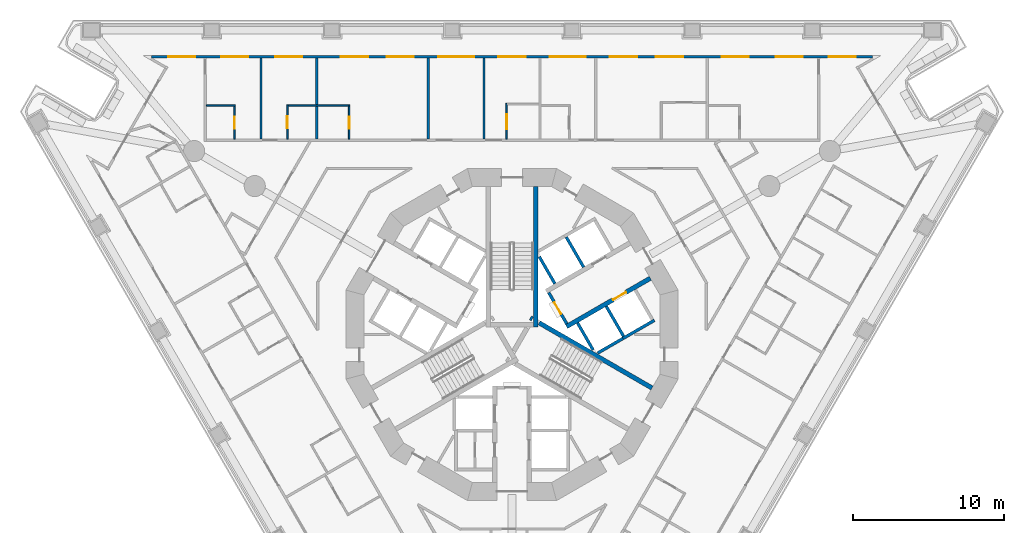
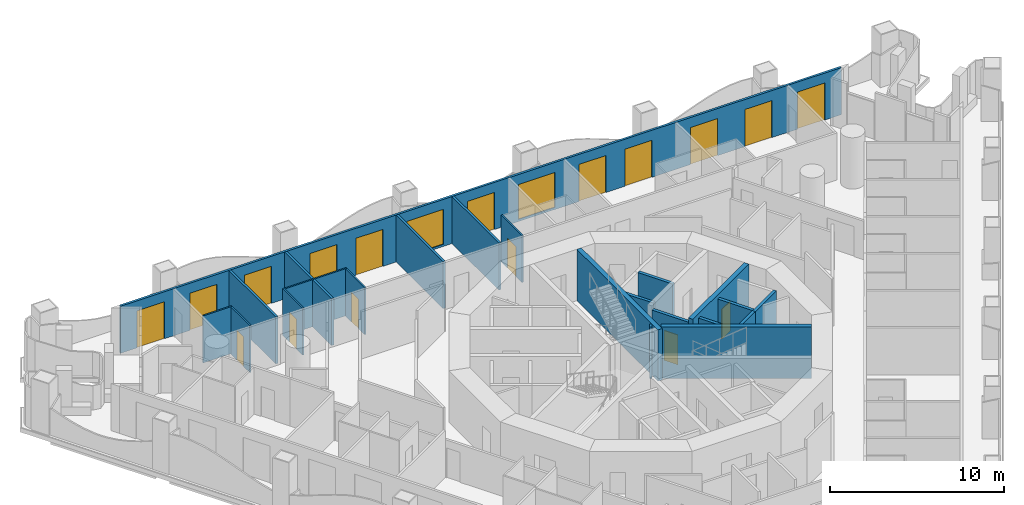
# One storey, part 8 of 20: 22 walls, 17 doors, 2 windows, 19 openings.
"""IFC4 building model written with IfcOpenShell, lengths in metres."""

from ifc_helpers import new_model, si_unit, direction, frame, frame_2d, origin, place, context, subcontext, project, spatial, polyline, rectangle, outline, extrude, material, layer, layer_set, type_object, element, fill, save


model = new_model("IFC4")

# Units and contexts
model_context = context("Model", 3, precision=1e-05, world=origin(), true_north=direction((0.0, 1.0)))
body_context = subcontext(model_context, "Body", "Model", "MODEL_VIEW")
ifc_project = project(units=[si_unit("LENGTHUNIT", "METRE"), si_unit("AREAUNIT", "SQUARE_METRE"), si_unit("VOLUMEUNIT", "CUBIC_METRE"), si_unit("PLANEANGLEUNIT", "RADIAN"), si_unit("MASSUNIT", "GRAM", prefix="KILO")], contexts=[model_context])

# Site, building, storey
site_placement = place(None, origin())
site = spatial("IfcSite", under=ifc_project, at=site_placement, CompositionType="ELEMENT")
building_placement = place(site_placement, origin())
building = spatial("IfcBuilding", under=site, at=building_placement, Name="Trine Commons Tower", CompositionType="ELEMENT")
storey_placement = place(building_placement, frame((0.0, 0.0, 35.10009765625)))
storey = spatial("IfcBuildingStorey", under=building, at=storey_placement, Name="L07", CompositionType="ELEMENT", Elevation=35.10009765625)

# Wall, openings, windows, doors
ifc_material_1 = material(Name="Aluminium-framed insulated wall panel", Category="aluminium")
ifc_layer_1 = layer(ifc_material_1, 0.14990234375)
ifc_layer_set_1 = layer_set([ifc_layer_1], Name="Aluminium-framed insulated wall panel")
wall_type_1 = type_object("IfcWallType", Name="Glazed frame wall 150, EI 60", PredefinedType="SOLIDWALL", material=ifc_layer_set_1)
wall_1_placement = place(storey_placement, frame((55.956787109375, 80.919677734375, 0.0), z_axis=(0.0, 0.0, 1.0), x_axis=(1.0, 0.0, 0.0)))
wall_1 = element("IfcWall", 1, at=wall_1_placement, inside=storey, type_object=wall_type_1, Name="Glazed frame wall F1", PredefinedType="SOLIDWALL", context=body_context, shape_type="SweptSolid", body=[
    extrude(outline(polyline([(0.1494140625, 0.074951171875), (0.1494140625, -0.074951171875), (47.93701171875, -0.074951171875), (47.93701171875, 0.074951171875), (0.1494140625, 0.074951171875)])), origin(), (0.0, 0.0, 1.0), 3.2998046875),
])
opening_1_placement = place(wall_1_placement, frame((1.24951171875, 0.0, 0.0)))
opening_1 = element("IfcOpeningElement", 2, at=opening_1_placement, cuts=wall_1, Name="Opening BD-1F1-01", PredefinedType="OPENING", context=body_context, shape_type="SweptSolid", body=[
    extrude(rectangle(XDim=1.800048828125, YDim=2.60009765625, at=frame_2d((0.89990234375, 1.300048828125))), frame((0.0, 0.0849609375, 0.0), z_axis=(0.0, -1.0, 0.0), x_axis=(1.0, 0.0, 0.0)), (0.0, 0.0, 1.0), 0.169921875),
])
opening_2_placement = place(wall_1_placement, frame((4.748291015625, 0.0, 0.0)))
opening_2 = element("IfcOpeningElement", 3, at=opening_2_placement, cuts=wall_1, Name="Opening BD-1F1-02", PredefinedType="OPENING", context=body_context, shape_type="SweptSolid", body=[
    extrude(rectangle(XDim=1.800048828125, YDim=2.60009765625, at=frame_2d((0.89990234375, 1.300048828125))), frame((0.0, 0.0849609375, 0.0), z_axis=(0.0, -1.0, 0.0), x_axis=(1.0, 0.0, 0.0)), (0.0, 0.0, 1.0), 0.169921875),
])
opening_3_placement = place(wall_1_placement, frame((8.347412109375, 0.0, 0.0)))
opening_3 = element("IfcOpeningElement", 4, at=opening_3_placement, cuts=wall_1, Name="Opening BD-1F1-03", PredefinedType="OPENING", context=body_context, shape_type="SweptSolid", body=[
    extrude(rectangle(XDim=1.800048828125, YDim=2.60009765625, at=frame_2d((0.89990234375, 1.300048828125))), frame((0.0, 0.0849609375, 0.0), z_axis=(0.0, -1.0, 0.0), x_axis=(1.0, 0.0, 0.0)), (0.0, 0.0, 1.0), 0.169921875),
])
opening_4_placement = place(wall_1_placement, frame((12.69580078125, 0.0, 0.0)))
opening_4 = element("IfcOpeningElement", 5, at=opening_4_placement, cuts=wall_1, Name="Opening BD-1F1-04", PredefinedType="OPENING", context=body_context, shape_type="SweptSolid", body=[
    extrude(rectangle(XDim=1.800048828125, YDim=2.60009765625, at=frame_2d((0.89990234375, 1.300048828125))), frame((0.0, 0.0849609375, 0.0), z_axis=(0.0, -1.0, 0.0), x_axis=(1.0, 0.0, 0.0)), (0.0, 0.0, 1.0), 0.169921875),
])
opening_5_placement = place(wall_1_placement, frame((15.7451171875, 0.0, 0.0)))
opening_5 = element("IfcOpeningElement", 6, at=opening_5_placement, cuts=wall_1, Name="Opening BD-1F1-05", PredefinedType="OPENING", context=body_context, shape_type="SweptSolid", body=[
    extrude(rectangle(XDim=1.800048828125, YDim=2.60009765625, at=frame_2d((0.89990234375, 1.300048828125))), frame((0.0, 0.0849609375, 0.0), z_axis=(0.0, -1.0, 0.0), x_axis=(1.0, 0.0, 0.0)), (0.0, 0.0, 1.0), 0.169921875),
])
opening_6_placement = place(wall_1_placement, frame((19.14404296875, 0.0, 0.14990234375)))
opening_6 = element("IfcOpeningElement", 7, at=opening_6_placement, cuts=wall_1, Name="Opening W-1F1-06", PredefinedType="OPENING", context=body_context, shape_type="SweptSolid", body=[
    extrude(rectangle(XDim=2.39990234375, YDim=2.449951171875, at=frame_2d((1.199951171875, 1.22509765625))), frame((0.0, 0.0849609375, 0.0), z_axis=(0.0, -1.0, 0.0), x_axis=(1.0, 0.0, 0.0)), (0.0, 0.0, 1.0), 0.169921875),
])
opening_7_placement = place(wall_1_placement, frame((23.142822265625, 0.0, 0.0)))
opening_7 = element("IfcOpeningElement", 8, at=opening_7_placement, cuts=wall_1, Name="Opening BD-1F1-07", PredefinedType="OPENING", context=body_context, shape_type="SweptSolid", body=[
    extrude(rectangle(XDim=1.800048828125, YDim=2.60009765625, at=frame_2d((0.89990234375, 1.300048828125))), frame((0.0, 0.0849609375, 0.0), z_axis=(0.0, -1.0, 0.0), x_axis=(1.0, 0.0, 0.0)), (0.0, 0.0, 1.0), 0.169921875),
])
opening_8_placement = place(wall_1_placement, frame((26.541748046875, 0.0, 0.14990234375)))
opening_8 = element("IfcOpeningElement", 9, at=opening_8_placement, cuts=wall_1, Name="Opening W-1F1-08", PredefinedType="OPENING", context=body_context, shape_type="SweptSolid", body=[
    extrude(rectangle(XDim=2.39990234375, YDim=2.449951171875, at=frame_2d((1.199951171875, 1.22509765625))), frame((0.0, 0.0849609375, 0.0), z_axis=(0.0, -1.0, 0.0), x_axis=(1.0, 0.0, 0.0)), (0.0, 0.0, 1.0), 0.169921875),
])
opening_9_placement = place(wall_1_placement, frame((30.54052734375, 0.0, 0.0)))
opening_9 = element("IfcOpeningElement", 10, at=opening_9_placement, cuts=wall_1, Name="Opening BD-1F1-09", PredefinedType="OPENING", context=body_context, shape_type="SweptSolid", body=[
    extrude(rectangle(XDim=1.800048828125, YDim=2.60009765625, at=frame_2d((0.89990234375, 1.300048828125))), frame((0.0, 0.0849609375, 0.0), z_axis=(0.0, -1.0, 0.0), x_axis=(1.0, 0.0, 0.0)), (0.0, 0.0, 1.0), 0.169921875),
])
opening_10_placement = place(wall_1_placement, frame((33.590087890625, 0.0, 0.0)))
opening_10 = element("IfcOpeningElement", 11, at=opening_10_placement, cuts=wall_1, Name="Opening BD-1F1-10", PredefinedType="OPENING", context=body_context, shape_type="SweptSolid", body=[
    extrude(rectangle(XDim=1.800048828125, YDim=2.60009765625, at=frame_2d((0.89990234375, 1.300048828125))), frame((0.0, 0.0849609375, 0.0), z_axis=(0.0, -1.0, 0.0), x_axis=(1.0, 0.0, 0.0)), (0.0, 0.0, 1.0), 0.169921875),
])
opening_11_placement = place(wall_1_placement, frame((37.9384765625, 0.0, 0.0)))
opening_11 = element("IfcOpeningElement", 12, at=opening_11_placement, cuts=wall_1, Name="Opening BD-1F1-11", PredefinedType="OPENING", context=body_context, shape_type="SweptSolid", body=[
    extrude(rectangle(XDim=1.800048828125, YDim=2.60009765625, at=frame_2d((0.89990234375, 1.300048828125))), frame((0.0, 0.0849609375, 0.0), z_axis=(0.0, -1.0, 0.0), x_axis=(1.0, 0.0, 0.0)), (0.0, 0.0, 1.0), 0.169921875),
])
opening_12_placement = place(wall_1_placement, frame((41.537353515625, 0.0, 0.0)))
opening_12 = element("IfcOpeningElement", 13, at=opening_12_placement, cuts=wall_1, Name="Opening BD-1F1-12", PredefinedType="OPENING", context=body_context, shape_type="SweptSolid", body=[
    extrude(rectangle(XDim=1.800048828125, YDim=2.60009765625, at=frame_2d((0.89990234375, 1.300048828125))), frame((0.0, 0.0849609375, 0.0), z_axis=(0.0, -1.0, 0.0), x_axis=(1.0, 0.0, 0.0)), (0.0, 0.0, 1.0), 0.169921875),
])
opening_13_placement = place(wall_1_placement, frame((45.036376953125, 0.0, 0.0)))
opening_13 = element("IfcOpeningElement", 14, at=opening_13_placement, cuts=wall_1, Name="Opening BD-1F1-13", PredefinedType="OPENING", context=body_context, shape_type="SweptSolid", body=[
    extrude(rectangle(XDim=1.800048828125, YDim=2.60009765625, at=frame_2d((0.89990234375, 1.300048828125))), frame((0.0, 0.0849609375, 0.0), z_axis=(0.0, -1.0, 0.0), x_axis=(1.0, 0.0, 0.0)), (0.0, 0.0, 1.0), 0.169921875),
])
ifc_material_2 = material(Name="Anodised aluminium frame with double glazing", Category="aluminium")
window_type = type_object("IfcWindowType", Name="Fixed window 2400x2450", PartitioningType="SINGLE_PANEL", PredefinedType="WINDOW", material=ifc_material_2)
window_1_placement = place(opening_6_placement, origin())
window_1 = element("IfcWindow", 15, at=window_1_placement, inside=storey, type_object=window_type, Name="Window F1 6", OverallHeight=2.449951171875, OverallWidth=2.39990234375, PartitioningType="SINGLE_PANEL", PredefinedType="WINDOW", context=body_context, shape_type="SweptSolid", body=[
    extrude(rectangle(XDim=2.39990234375, YDim=2.449951171875, at=frame_2d((1.199951171875, 1.22509765625))), frame((0.0, 0.030029296875, 0.0), z_axis=(0.0, -1.0, 0.0), x_axis=(1.0, 0.0, 0.0)), (0.0, 0.0, 1.0), 0.06005859375),
])
fill(opening_6, window_1)
window_2_placement = place(opening_8_placement, origin())
window_2 = element("IfcWindow", 16, at=window_2_placement, inside=storey, type_object=window_type, Name="Window F1 8", OverallHeight=2.449951171875, OverallWidth=2.39990234375, PartitioningType="SINGLE_PANEL", PredefinedType="WINDOW", context=body_context, shape_type="SweptSolid", body=[
    extrude(rectangle(XDim=2.39990234375, YDim=2.449951171875, at=frame_2d((1.199951171875, 1.22509765625))), frame((0.0, 0.030029296875, 0.0), z_axis=(0.0, -1.0, 0.0), x_axis=(1.0, 0.0, 0.0)), (0.0, 0.0, 1.0), 0.06005859375),
])
fill(opening_8, window_2)
door_type_1 = type_object("IfcDoorType", Name="Sliding loggia door 1800x2600", OperationType="SLIDING_TO_LEFT", PredefinedType="DOOR", material=ifc_material_2)
door_1_placement = place(opening_1_placement, origin())
door_1 = element("IfcDoor", 17, at=door_1_placement, inside=storey, type_object=door_type_1, Name="Loggia door F1 1", OperationType="SLIDING_TO_LEFT", OverallHeight=2.60009765625, OverallWidth=1.800048828125, PredefinedType="DOOR", context=body_context, shape_type="SweptSolid", body=[
    extrude(rectangle(XDim=1.800048828125, YDim=2.60009765625, at=frame_2d((0.89990234375, 1.300048828125))), frame((0.0, 0.02490234375, 0.0), z_axis=(0.0, -1.0, 0.0), x_axis=(1.0, 0.0, 0.0)), (0.0, 0.0, 1.0), 0.050048828125),
])
fill(opening_1, door_1)
door_2_placement = place(opening_2_placement, origin())
door_2 = element("IfcDoor", 18, at=door_2_placement, inside=storey, type_object=door_type_1, Name="Loggia door F1 2", OperationType="SLIDING_TO_LEFT", OverallHeight=2.60009765625, OverallWidth=1.800048828125, PredefinedType="DOOR", context=body_context, shape_type="SweptSolid", body=[
    extrude(rectangle(XDim=1.800048828125, YDim=2.60009765625, at=frame_2d((0.89990234375, 1.300048828125))), frame((0.0, 0.02490234375, 0.0), z_axis=(0.0, -1.0, 0.0), x_axis=(1.0, 0.0, 0.0)), (0.0, 0.0, 1.0), 0.050048828125),
])
fill(opening_2, door_2)
door_3_placement = place(opening_3_placement, origin())
door_3 = element("IfcDoor", 19, at=door_3_placement, inside=storey, type_object=door_type_1, Name="Loggia door F1 3", OperationType="SLIDING_TO_LEFT", OverallHeight=2.60009765625, OverallWidth=1.800048828125, PredefinedType="DOOR", context=body_context, shape_type="SweptSolid", body=[
    extrude(rectangle(XDim=1.800048828125, YDim=2.60009765625, at=frame_2d((0.89990234375, 1.300048828125))), frame((0.0, 0.02490234375, 0.0), z_axis=(0.0, -1.0, 0.0), x_axis=(1.0, 0.0, 0.0)), (0.0, 0.0, 1.0), 0.050048828125),
])
fill(opening_3, door_3)
door_4_placement = place(opening_4_placement, origin())
door_4 = element("IfcDoor", 20, at=door_4_placement, inside=storey, type_object=door_type_1, Name="Loggia door F1 4", OperationType="SLIDING_TO_LEFT", OverallHeight=2.60009765625, OverallWidth=1.800048828125, PredefinedType="DOOR", context=body_context, shape_type="SweptSolid", body=[
    extrude(rectangle(XDim=1.800048828125, YDim=2.60009765625, at=frame_2d((0.89990234375, 1.300048828125))), frame((0.0, 0.02490234375, 0.0), z_axis=(0.0, -1.0, 0.0), x_axis=(1.0, 0.0, 0.0)), (0.0, 0.0, 1.0), 0.050048828125),
])
fill(opening_4, door_4)
door_5_placement = place(opening_5_placement, origin())
door_5 = element("IfcDoor", 21, at=door_5_placement, inside=storey, type_object=door_type_1, Name="Loggia door F1 5", OperationType="SLIDING_TO_LEFT", OverallHeight=2.60009765625, OverallWidth=1.800048828125, PredefinedType="DOOR", context=body_context, shape_type="SweptSolid", body=[
    extrude(rectangle(XDim=1.800048828125, YDim=2.60009765625, at=frame_2d((0.89990234375, 1.300048828125))), frame((0.0, 0.02490234375, 0.0), z_axis=(0.0, -1.0, 0.0), x_axis=(1.0, 0.0, 0.0)), (0.0, 0.0, 1.0), 0.050048828125),
])
fill(opening_5, door_5)
door_6_placement = place(opening_7_placement, origin())
door_6 = element("IfcDoor", 22, at=door_6_placement, inside=storey, type_object=door_type_1, Name="Loggia door F1 7", OperationType="SLIDING_TO_LEFT", OverallHeight=2.60009765625, OverallWidth=1.800048828125, PredefinedType="DOOR", context=body_context, shape_type="SweptSolid", body=[
    extrude(rectangle(XDim=1.800048828125, YDim=2.60009765625, at=frame_2d((0.89990234375, 1.300048828125))), frame((0.0, 0.02490234375, 0.0), z_axis=(0.0, -1.0, 0.0), x_axis=(1.0, 0.0, 0.0)), (0.0, 0.0, 1.0), 0.050048828125),
])
fill(opening_7, door_6)
door_7_placement = place(opening_9_placement, origin())
door_7 = element("IfcDoor", 23, at=door_7_placement, inside=storey, type_object=door_type_1, Name="Loggia door F1 9", OperationType="SLIDING_TO_LEFT", OverallHeight=2.60009765625, OverallWidth=1.800048828125, PredefinedType="DOOR", context=body_context, shape_type="SweptSolid", body=[
    extrude(rectangle(XDim=1.800048828125, YDim=2.60009765625, at=frame_2d((0.89990234375, 1.300048828125))), frame((0.0, 0.02490234375, 0.0), z_axis=(0.0, -1.0, 0.0), x_axis=(1.0, 0.0, 0.0)), (0.0, 0.0, 1.0), 0.050048828125),
])
fill(opening_9, door_7)
door_8_placement = place(opening_10_placement, origin())
door_8 = element("IfcDoor", 24, at=door_8_placement, inside=storey, type_object=door_type_1, Name="Loggia door F1 10", OperationType="SLIDING_TO_LEFT", OverallHeight=2.60009765625, OverallWidth=1.800048828125, PredefinedType="DOOR", context=body_context, shape_type="SweptSolid", body=[
    extrude(rectangle(XDim=1.800048828125, YDim=2.60009765625, at=frame_2d((0.89990234375, 1.300048828125))), frame((0.0, 0.02490234375, 0.0), z_axis=(0.0, -1.0, 0.0), x_axis=(1.0, 0.0, 0.0)), (0.0, 0.0, 1.0), 0.050048828125),
])
fill(opening_10, door_8)
door_9_placement = place(opening_11_placement, origin())
door_9 = element("IfcDoor", 25, at=door_9_placement, inside=storey, type_object=door_type_1, Name="Loggia door F1 11", OperationType="SLIDING_TO_LEFT", OverallHeight=2.60009765625, OverallWidth=1.800048828125, PredefinedType="DOOR", context=body_context, shape_type="SweptSolid", body=[
    extrude(rectangle(XDim=1.800048828125, YDim=2.60009765625, at=frame_2d((0.89990234375, 1.300048828125))), frame((0.0, 0.02490234375, 0.0), z_axis=(0.0, -1.0, 0.0), x_axis=(1.0, 0.0, 0.0)), (0.0, 0.0, 1.0), 0.050048828125),
])
fill(opening_11, door_9)
door_10_placement = place(opening_12_placement, origin())
door_10 = element("IfcDoor", 26, at=door_10_placement, inside=storey, type_object=door_type_1, Name="Loggia door F1 12", OperationType="SLIDING_TO_LEFT", OverallHeight=2.60009765625, OverallWidth=1.800048828125, PredefinedType="DOOR", context=body_context, shape_type="SweptSolid", body=[
    extrude(rectangle(XDim=1.800048828125, YDim=2.60009765625, at=frame_2d((0.89990234375, 1.300048828125))), frame((0.0, 0.02490234375, 0.0), z_axis=(0.0, -1.0, 0.0), x_axis=(1.0, 0.0, 0.0)), (0.0, 0.0, 1.0), 0.050048828125),
])
fill(opening_12, door_10)
door_11_placement = place(opening_13_placement, origin())
door_11 = element("IfcDoor", 27, at=door_11_placement, inside=storey, type_object=door_type_1, Name="Loggia door F1 13", OperationType="SLIDING_TO_LEFT", OverallHeight=2.60009765625, OverallWidth=1.800048828125, PredefinedType="DOOR", context=body_context, shape_type="SweptSolid", body=[
    extrude(rectangle(XDim=1.800048828125, YDim=2.60009765625, at=frame_2d((0.89990234375, 1.300048828125))), frame((0.0, 0.02490234375, 0.0), z_axis=(0.0, -1.0, 0.0), x_axis=(1.0, 0.0, 0.0)), (0.0, 0.0, 1.0), 0.050048828125),
])
fill(opening_13, door_11)

# Wall, opening, door
ifc_material_3 = material(Name="Fire-rated gypsum shaft wall system")
ifc_layer_2 = layer(ifc_material_3, 0.199951171875)
ifc_layer_set_2 = layer_set([ifc_layer_2], Name="Fire-rated gypsum shaft wall system")
wall_type_2 = type_object("IfcWallType", Name="Lobby end wall 200 mm, EI 120", PredefinedType="PARTITIONING", material=ifc_layer_set_2)
wall_2_placement = place(storey_placement, frame((83.631103515625, 63.2109375, 0.0), z_axis=(0.0, 0.0, 1.0), x_axis=(-0.50012165622, 0.865955154139, 0.0)))
wall_2 = element("IfcWall", 28, at=wall_2_placement, inside=storey, type_object=wall_type_2, Name="Lobby end wall L07", PredefinedType="PARTITIONING", context=body_context, shape_type="SweptSolid", body=[
    extrude(rectangle(XDim=2.39990234375, YDim=0.199951171875, at=frame_2d((1.199951171875, 0.0))), origin(), (0.0, 0.0, 1.0), 3.2998046875),
])
opening_14_placement = place(wall_2_placement, frame((0.749755859375, 0.0, 0.0)))
opening_14 = element("IfcOpeningElement", 29, at=opening_14_placement, cuts=wall_2, Name="Opening K06.05", PredefinedType="OPENING", context=body_context, shape_type="SweptSolid", body=[
    extrude(rectangle(XDim=0.89990234375, YDim=2.10009765625, at=frame_2d((0.449951171875, 1.050048828125))), frame((0.0, 0.10986328125, 0.0), z_axis=(0.0, -1.0, 0.0), x_axis=(1.0, 0.0, 0.0)), (0.0, 0.0, 1.0), 0.219970703125),
])
ifc_material_4 = material(Name="Steel door leaf, fire-rated", Category="steel")
door_type_2 = type_object("IfcDoorType", Name="Riser access door, single leaf 900 x 2100, FD60", OperationType="SINGLE_SWING_LEFT", PredefinedType="DOOR", material=ifc_material_4)
door_12_placement = place(opening_14_placement, frame((0.89990234375, 0.0, 0.0), z_axis=(0.0, 0.0, 1.0), x_axis=(-1.0, 0.0, 0.0)))
door_12 = element("IfcDoor", 30, at=door_12_placement, inside=storey, type_object=door_type_2, Name="Riser door, Electrical riser L07", OperationType="SINGLE_SWING_LEFT", OverallHeight=2.10009765625, OverallWidth=0.89990234375, PredefinedType="DOOR", context=body_context, shape_type="SweptSolid", body=[
    extrude(rectangle(XDim=0.89990234375, YDim=2.10009765625, at=frame_2d((0.449951171875, 1.050048828125))), frame((0.0, 0.02490234375, 0.0), z_axis=(0.0, -1.0, 0.0), x_axis=(1.0, 0.0, 0.0)), (0.0, 0.0, 1.0), 0.050048828125),
])
fill(opening_14, door_12)

ifc_material_5 = material(Name="Concrete C80/95", Category="concrete")
ifc_layer_3 = layer(ifc_material_5, 0.300048828125)
ifc_layer_set_3 = layer_set([ifc_layer_3], Name="Concrete C80/95")
wall_type_3 = type_object("IfcWallType", Name="RC shear wall 300 mm, C80/95", PredefinedType="SHEAR", material=ifc_layer_set_3)
wall_3_placement = place(storey_placement, frame((83.618896484375, 63.031005859375, 0.0), z_axis=(0.0, 0.0, 1.0), x_axis=(0.866032150378, 0.499988314375, 0.0)))
wall_3 = element("IfcWall", 31, at=wall_3_placement, inside=storey, type_object=wall_type_3, Name="Core cross wall SWA-06 L07", PredefinedType="SHEAR", context=body_context, shape_type="SweptSolid", body=[
    extrude(rectangle(XDim=6.412353515625, YDim=0.300048828125, at=frame_2d((3.2060546875, 0.0))), origin(), (0.0, 0.0, 1.0), 3.599853515625),
])
opening_15_placement = place(wall_3_placement, frame((3.55029296875, 0.0, 0.0)))
opening_15 = element("IfcOpeningElement", 32, at=opening_15_placement, cuts=wall_3, Name="Opening LD2", PredefinedType="OPENING", context=body_context, shape_type="SweptSolid", body=[
    extrude(rectangle(XDim=1.0, YDim=2.10009765625, at=frame_2d((0.5, 1.050048828125))), frame((0.0, 0.159912109375, 0.0), z_axis=(0.0, -1.0, 0.0), x_axis=(1.0, 0.0, 0.0)), (0.0, 0.0, 1.0), 0.320068359375),
])
ifc_material_6 = material(Name="Stainless steel sliding door leaves", Category="steel")
door_type_3 = type_object("IfcDoorType", Name="Lift landing door, centre-opening sliding 1000 x 2100, FD90", OperationType="DOUBLE_DOOR_SLIDING", PredefinedType="DOOR", material=ifc_material_6)
door_13_placement = place(opening_15_placement, origin())
door_13 = element("IfcDoor", 33, at=door_13_placement, inside=storey, type_object=door_type_3, Name="Lift landing door LR2 L07", OperationType="DOUBLE_DOOR_SLIDING", OverallHeight=2.10009765625, OverallWidth=1.0, PredefinedType="DOOR", context=body_context, shape_type="SweptSolid", body=[
    extrude(rectangle(XDim=1.0, YDim=2.10009765625, at=frame_2d((0.5, 1.050048828125))), frame((0.0, 0.02490234375, 0.0), z_axis=(0.0, -1.0, 0.0), x_axis=(1.0, 0.0, 0.0)), (0.0, 0.0, 1.0), 0.050048828125),
])
fill(opening_15, door_13)

# Walls
wall_4_placement = place(storey_placement, frame((81.220947265625, 63.614013671875, 0.0), z_axis=(0.0, 0.0, 1.0), x_axis=(0.867737973955, -0.497021939713, 0.0)))
element("IfcWall", 34, at=wall_4_placement, inside=storey, type_object=wall_type_3, Name="Core cross wall SWA-15 L07", PredefinedType="SHEAR", context=body_context, shape_type="SweptSolid", body=[
    extrude(rectangle(XDim=0.14892578125, YDim=0.300048828125, at=frame_2d((0.074462890625, 0.0))), origin(), (0.0, 0.0, 1.0), 3.599853515625),
])
wall_5_placement = place(storey_placement, frame((81.574951171875, 63.0009765625, 0.0), z_axis=(0.0, 0.0, 1.0), x_axis=(0.0, 1.0, 0.0)))
element("IfcWall", 35, at=wall_5_placement, inside=storey, type_object=wall_type_3, Name="Core cross wall SWA-17 L07", PredefinedType="SHEAR", context=body_context, shape_type="SweptSolid", body=[
    extrude(rectangle(XDim=9.31103515625, YDim=0.300048828125, at=frame_2d((4.655517578125, 0.0))), origin(), (0.0, 0.0, 1.0), 3.599853515625),
])
wall_6_placement = place(storey_placement, frame((81.800048828125, 63.280029296875, 0.0), z_axis=(0.0, 0.0, 1.0), x_axis=(0.865965399159, -0.500103916661, 0.0)))
element("IfcWall", 36, at=wall_6_placement, inside=storey, type_object=wall_type_3, Name="Core cross wall SWA-18 L07", PredefinedType="SHEAR", context=body_context, shape_type="SweptSolid", body=[
    extrude(rectangle(XDim=8.642333984375, YDim=0.300048828125, at=frame_2d((4.3212890625, 0.0))), origin(), (0.0, 0.0, 1.0), 3.599853515625),
])
ifc_layer_4 = layer(ifc_material_3, 0.199951171875)
ifc_layer_set_4 = layer_set([ifc_layer_4], Name="Fire-rated gypsum shaft wall system")
wall_type_4 = type_object("IfcWallType", Name="Shaft wall 200 mm, EI 120", PredefinedType="PARTITIONING", material=ifc_layer_set_4)
wall_7_placement = place(storey_placement, frame((82.843994140625, 65.8740234375, 0.0), z_axis=(0.0, 0.0, 1.0), x_axis=(-0.499865770674, 0.866102887253, 0.0)))
element("IfcWall", 37, at=wall_7_placement, inside=storey, type_object=wall_type_4, Name="Shaft wall L07", PredefinedType="PARTITIONING", context=body_context, shape_type="SweptSolid", body=[
    extrude(rectangle(XDim=2.064453125, YDim=0.199951171875, at=frame_2d((1.0322265625, 0.0))), origin(), (0.0, 0.0, 1.0), 3.2998046875),
])
wall_8_placement = place(storey_placement, frame((84.343994140625, 63.27587890625, 0.0), z_axis=(0.0, 0.0, 1.0), x_axis=(0.500271688072, -0.86586848777, 0.0)))
element("IfcWall", 38, at=wall_8_placement, inside=storey, type_object=wall_type_4, Name="Shaft wall L07", PredefinedType="PARTITIONING", context=body_context, shape_type="SweptSolid", body=[
    extrude(rectangle(XDim=2.064697265625, YDim=0.199951171875, at=frame_2d((1.0322265625, 0.0))), origin(), (0.0, 0.0, 1.0), 3.2998046875),
])
wall_9_placement = place(storey_placement, frame((84.7490234375, 66.97412109375, 0.0), z_axis=(0.0, 0.0, 1.0), x_axis=(-0.500136062276, 0.86594683394, 0.0)))
element("IfcWall", 39, at=wall_9_placement, inside=storey, type_object=wall_type_4, Name="Shaft wall L07", PredefinedType="PARTITIONING", context=body_context, shape_type="SweptSolid", body=[
    extrude(rectangle(XDim=2.299072265625, YDim=0.199951171875, at=frame_2d((1.1494140625, 0.0))), origin(), (0.0, 0.0, 1.0), 3.2998046875),
])
wall_10_placement = place(storey_placement, frame((85.675048828125, 61.27294921875, 0.0), z_axis=(0.0, 0.0, 1.0), x_axis=(0.865780634835, 0.500423712812, 0.0)))
element("IfcWall", 40, at=wall_10_placement, inside=storey, type_object=wall_type_4, Name="Shaft wall L07", PredefinedType="PARTITIONING", context=body_context, shape_type="SweptSolid", body=[
    extrude(rectangle(XDim=1.948486328125, YDim=0.199951171875, at=frame_2d((0.97412109375, 0.0))), origin(), (0.0, 0.0, 1.0), 3.2998046875),
])
wall_11_placement = place(storey_placement, frame((86.2490234375, 64.3759765625, 0.0), z_axis=(0.0, 0.0, 1.0), x_axis=(0.500136062276, -0.86594683394, 0.0)))
element("IfcWall", 41, at=wall_11_placement, inside=storey, type_object=wall_type_4, Name="Shaft wall L07", PredefinedType="PARTITIONING", context=body_context, shape_type="SweptSolid", body=[
    extrude(rectangle(XDim=2.299072265625, YDim=0.199951171875, at=frame_2d((1.1494140625, 0.0))), origin(), (0.0, 0.0, 1.0), 3.2998046875),
])
wall_12_placement = place(storey_placement, frame((87.362060546875, 62.248046875, 0.0), z_axis=(0.0, 0.0, 1.0), x_axis=(0.866177122335, 0.499737123639, 0.0)))
element("IfcWall", 42, at=wall_12_placement, inside=storey, type_object=wall_type_4, Name="Shaft wall L07", PredefinedType="PARTITIONING", context=body_context, shape_type="SweptSolid", body=[
    extrude(rectangle(XDim=2.401123046875, YDim=0.199951171875, at=frame_2d((1.20068359375, 0.0))), origin(), (0.0, 0.0, 1.0), 3.2998046875),
])
ifc_material_7 = material(Name="Gypsum plasterboard on steel stud", Category="steel")
ifc_layer_5 = layer(ifc_material_7, 0.14990234375)
ifc_layer_set_5 = layer_set([ifc_layer_5], Name="Gypsum plasterboard on steel stud")
wall_type_5 = type_object("IfcWallType", Name="Unit and corridor wall 150 mm, EI 60", PredefinedType="PARTITIONING", material=ifc_layer_set_5)
for number, where, z_axis, x_axis, name in (
    (43, (63.35498046875, 75.4619140625, 0.0), (0.0, 0.0, 1.0), (0.0, 1.0, 0.0), "Partition 028"),
    (44, (67.053955078125, 75.4619140625, 0.0), (0.0, 0.0, 1.0), (0.0, 1.0, 0.0), "Partition 037"),
    (45, (74.450927734375, 75.4619140625, 0.0), (0.0, 0.0, 1.0), (0.0, 1.0, 0.0), "Partition 055"),
    (46, (78.14990234375, 75.4619140625, 0.0), (0.0, 0.0, 1.0), (0.0, 1.0, 0.0), "Partition 064"),
):
    element("IfcWall", number, at=place(storey_placement, frame(where, z_axis=z_axis, x_axis=x_axis)), inside=storey, type_object=wall_type_5, Name=name, PredefinedType="PARTITIONING", context=body_context, shape_type="SweptSolid", body=[
        extrude(rectangle(XDim=5.383056640625, YDim=0.14990234375, at=frame_2d((2.69140625, 0.0))), origin(), (0.0, 0.0, 1.0), 3.2998046875),
    ])
ifc_layer_6 = layer(ifc_material_7, 0.10009765625)
ifc_layer_set_6 = layer_set([ifc_layer_6], Name="Gypsum plasterboard on steel stud")
wall_type_6 = type_object("IfcWallType", Name="Unit partition 100 mm, no rating", PredefinedType="PARTITIONING", material=ifc_layer_set_6)
wall_13_placement = place(storey_placement, frame((59.73095703125, 77.68701171875, 0.0), z_axis=(0.0, 0.0, 1.0), x_axis=(1.0, 0.0, 0.0)))
element("IfcWall", 47, at=wall_13_placement, inside=storey, type_object=wall_type_6, Name="Partition 014", PredefinedType="PARTITIONING", context=body_context, shape_type="SweptSolid", body=[
    extrude(rectangle(XDim=1.925048828125, YDim=0.10009765625, at=frame_2d((0.96240234375, 0.0))), origin(), (0.0, 0.0, 1.0), 3.2998046875),
])

# Wall, opening, door
wall_14_placement = place(storey_placement, frame((61.60595703125, 75.4619140625, 0.0), z_axis=(0.0, 0.0, 1.0), x_axis=(0.0, 1.0, 0.0)))
wall_14 = element("IfcWall", 48, at=wall_14_placement, inside=storey, type_object=wall_type_6, Name="Partition 021", PredefinedType="PARTITIONING", context=body_context, shape_type="SweptSolid", body=[
    extrude(rectangle(XDim=2.175048828125, YDim=0.10009765625, at=frame_2d((1.08740234375, 0.0))), origin(), (0.0, 0.0, 1.0), 3.2998046875),
])
opening_16_placement = place(wall_14_placement, frame((0.6875, 0.0, 0.0)))
opening_16 = element("IfcOpeningElement", 49, at=opening_16_placement, cuts=wall_14, Name="Opening D-1A41", PredefinedType="OPENING", context=body_context, shape_type="SweptSolid", body=[
    extrude(rectangle(XDim=0.800048828125, YDim=2.10009765625, at=frame_2d((0.39990234375, 1.050048828125))), frame((0.0, 0.06005859375, 0.0), z_axis=(0.0, -1.0, 0.0), x_axis=(1.0, 0.0, 0.0)), (0.0, 0.0, 1.0), 0.1201171875),
])
ifc_material_8 = material(Name="Painted timber", Category="wood")
door_type_4 = type_object("IfcDoorType", Name="Internal door 800 x 2100, NOT RATED", OperationType="NOTDEFINED", PredefinedType="DOOR", material=ifc_material_8)
door_14_placement = place(opening_16_placement, frame((0.800048828125, 0.0, 0.0), z_axis=(0.0, 0.0, 1.0), x_axis=(-1.0, 0.0, 0.0)))
door_14 = element("IfcDoor", 50, at=door_14_placement, inside=storey, type_object=door_type_4, Name="Door D-1A41", OperationType="SINGLE_SWING_RIGHT", OverallHeight=2.10009765625, OverallWidth=0.800048828125, PredefinedType="DOOR", context=body_context, shape_type="SweptSolid", body=[
    extrude(rectangle(XDim=0.800048828125, YDim=2.10009765625, at=frame_2d((0.39990234375, 1.050048828125))), frame((0.0, 0.02490234375, 0.0), z_axis=(0.0, -1.0, 0.0), x_axis=(1.0, 0.0, 0.0)), (0.0, 0.0, 1.0), 0.050048828125),
])
fill(opening_16, door_14)

wall_15_placement = place(storey_placement, frame((65.10400390625, 75.4619140625, 0.0), z_axis=(0.0, 0.0, 1.0), x_axis=(0.0, 1.0, 0.0)))
wall_15 = element("IfcWall", 51, at=wall_15_placement, inside=storey, type_object=wall_type_6, Name="Partition 032", PredefinedType="PARTITIONING", context=body_context, shape_type="SweptSolid", body=[
    extrude(rectangle(XDim=2.275146484375, YDim=0.10009765625, at=frame_2d((1.1376953125, 0.0))), origin(), (0.0, 0.0, 1.0), 3.2998046875),
])
opening_17_placement = place(wall_15_placement, frame((0.71240234375, 0.0, 0.0)))
opening_17 = element("IfcOpeningElement", 52, at=opening_17_placement, cuts=wall_15, Name="Opening D-1A42", PredefinedType="OPENING", context=body_context, shape_type="SweptSolid", body=[
    extrude(rectangle(XDim=0.800048828125, YDim=2.10009765625, at=frame_2d((0.39990234375, 1.050048828125))), frame((0.0, 0.06005859375, 0.0), z_axis=(0.0, -1.0, 0.0), x_axis=(1.0, 0.0, 0.0)), (0.0, 0.0, 1.0), 0.1201171875),
])
door_15_placement = place(opening_17_placement, origin())
door_15 = element("IfcDoor", 53, at=door_15_placement, inside=storey, type_object=door_type_4, Name="Door D-1A42", OperationType="SINGLE_SWING_LEFT", OverallHeight=2.10009765625, OverallWidth=0.800048828125, PredefinedType="DOOR", context=body_context, shape_type="SweptSolid", body=[
    extrude(rectangle(XDim=0.800048828125, YDim=2.10009765625, at=frame_2d((0.39990234375, 1.050048828125))), frame((0.0, 0.02490234375, 0.0), z_axis=(0.0, -1.0, 0.0), x_axis=(1.0, 0.0, 0.0)), (0.0, 0.0, 1.0), 0.050048828125),
])
fill(opening_17, door_15)

# Wall
wall_16_placement = place(storey_placement, frame((65.154052734375, 77.68701171875, 0.0), z_axis=(0.0, 0.0, 1.0), x_axis=(1.0, 0.0, 0.0)))
element("IfcWall", 54, at=wall_16_placement, inside=storey, type_object=wall_type_6, Name="Partition 033", PredefinedType="PARTITIONING", context=body_context, shape_type="SweptSolid", body=[
    extrude(rectangle(XDim=4.099853515625, YDim=0.10009765625, at=frame_2d((2.0498046875, 0.0))), origin(), (0.0, 0.0, 1.0), 3.2998046875),
])

# Wall, opening, door
wall_17_placement = place(storey_placement, frame((69.2041015625, 75.4619140625, 0.0), z_axis=(0.0, 0.0, 1.0), x_axis=(0.0, 1.0, 0.0)))
wall_17 = element("IfcWall", 55, at=wall_17_placement, inside=storey, type_object=wall_type_6, Name="Partition 045", PredefinedType="PARTITIONING", context=body_context, shape_type="SweptSolid", body=[
    extrude(rectangle(XDim=2.175048828125, YDim=0.10009765625, at=frame_2d((1.08740234375, 0.0))), origin(), (0.0, 0.0, 1.0), 3.2998046875),
])
opening_18_placement = place(wall_17_placement, frame((0.6875, 0.0, 0.0)))
opening_18 = element("IfcOpeningElement", 56, at=opening_18_placement, cuts=wall_17, Name="Opening D-1A43", PredefinedType="OPENING", context=body_context, shape_type="SweptSolid", body=[
    extrude(rectangle(XDim=0.800048828125, YDim=2.10009765625, at=frame_2d((0.39990234375, 1.050048828125))), frame((0.0, 0.06005859375, 0.0), z_axis=(0.0, -1.0, 0.0), x_axis=(1.0, 0.0, 0.0)), (0.0, 0.0, 1.0), 0.1201171875),
])
door_16_placement = place(opening_18_placement, frame((0.800048828125, 0.0, 0.0), z_axis=(0.0, 0.0, 1.0), x_axis=(-1.0, 0.0, 0.0)))
door_16 = element("IfcDoor", 57, at=door_16_placement, inside=storey, type_object=door_type_4, Name="Door D-1A43", OperationType="SINGLE_SWING_RIGHT", OverallHeight=2.10009765625, OverallWidth=0.800048828125, PredefinedType="DOOR", context=body_context, shape_type="SweptSolid", body=[
    extrude(rectangle(XDim=0.800048828125, YDim=2.10009765625, at=frame_2d((0.39990234375, 1.050048828125))), frame((0.0, 0.02490234375, 0.0), z_axis=(0.0, -1.0, 0.0), x_axis=(1.0, 0.0, 0.0)), (0.0, 0.0, 1.0), 0.050048828125),
])
fill(opening_18, door_16)

wall_18_placement = place(storey_placement, frame((79.64892578125, 75.4619140625, 0.0), z_axis=(0.0, 0.0, 1.0), x_axis=(0.0, 1.0, 0.0)))
wall_18 = element("IfcWall", 58, at=wall_18_placement, inside=storey, type_object=wall_type_6, Name="Partition 067", PredefinedType="PARTITIONING", context=body_context, shape_type="SweptSolid", body=[
    extrude(rectangle(XDim=2.375, YDim=0.10009765625, at=frame_2d((1.1875, 0.0))), origin(), (0.0, 0.0, 1.0), 3.2998046875),
])
opening_19_placement = place(wall_18_placement, frame((0.66259765625, 0.0, 0.0)))
opening_19 = element("IfcOpeningElement", 59, at=opening_19_placement, cuts=wall_18, Name="Opening D-1A44", PredefinedType="OPENING", context=body_context, shape_type="SweptSolid", body=[
    extrude(rectangle(XDim=1.0, YDim=2.10009765625, at=frame_2d((0.5, 1.050048828125))), frame((0.0, 0.06005859375, 0.0), z_axis=(0.0, -1.0, 0.0), x_axis=(1.0, 0.0, 0.0)), (0.0, 0.0, 1.0), 0.1201171875),
])
door_type_5 = type_object("IfcDoorType", Name="Internal door 1000 x 2100, NOT RATED", OperationType="NOTDEFINED", PredefinedType="DOOR", material=ifc_material_8)
door_17_placement = place(opening_19_placement, origin())
door_17 = element("IfcDoor", 60, at=door_17_placement, inside=storey, type_object=door_type_5, Name="Door D-1A44", OperationType="SINGLE_SWING_LEFT", OverallHeight=2.10009765625, OverallWidth=1.0, PredefinedType="DOOR", context=body_context, shape_type="SweptSolid", body=[
    extrude(rectangle(XDim=1.0, YDim=2.10009765625, at=frame_2d((0.5, 1.050048828125))), frame((0.0, 0.02490234375, 0.0), z_axis=(0.0, -1.0, 0.0), x_axis=(1.0, 0.0, 0.0)), (0.0, 0.0, 1.0), 0.050048828125),
])
fill(opening_19, door_17)

save(model, "model.ifc")
